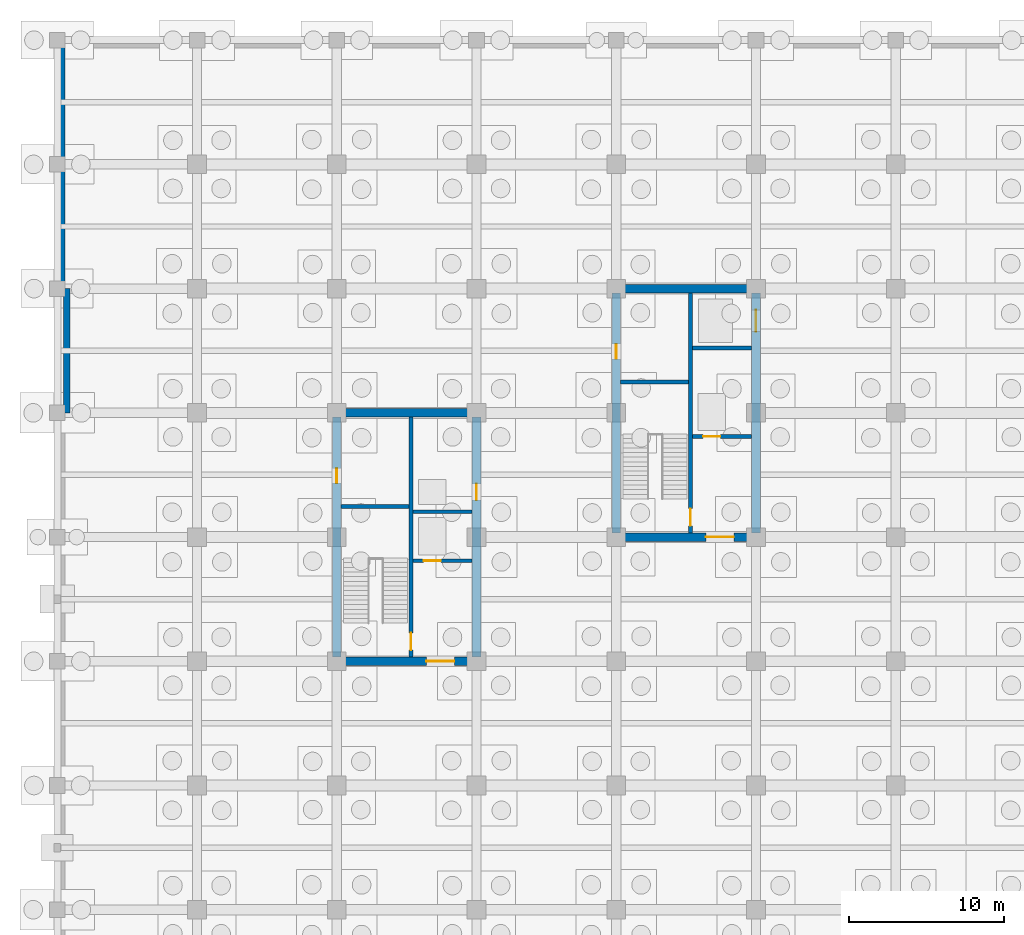
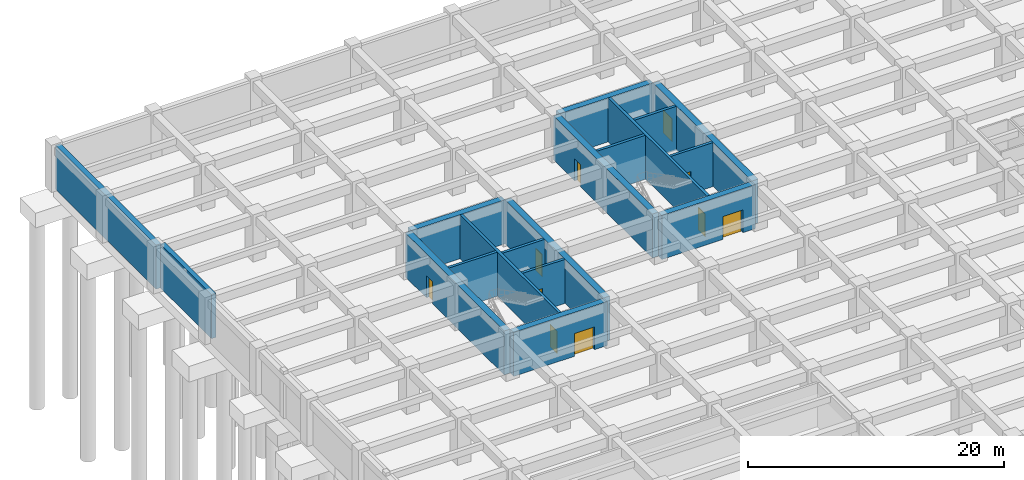
# One storey, part 21 of 31: 18 walls, 10 doors, 10 openings.
"""IFC4 building model written with IfcOpenShell, lengths in metres."""

from ifc_helpers import new_model, si_unit, direction, frame, frame_2d, origin, place, context, subcontext, project, spatial, rectangle, extrude, material, layer, layer_set, type_object, element, fill, save


model = new_model("IFC4")

# Units and contexts
model_context = context("Model", 3, precision=1e-05, world=origin(), true_north=direction((0.0, 1.0)))
body_context = subcontext(model_context, "Body", "Model", "MODEL_VIEW")
ifc_project = project(units=[si_unit("LENGTHUNIT", "METRE"), si_unit("AREAUNIT", "SQUARE_METRE"), si_unit("VOLUMEUNIT", "CUBIC_METRE"), si_unit("PLANEANGLEUNIT", "RADIAN"), si_unit("MASSUNIT", "GRAM", prefix="KILO")], contexts=[model_context])

# Site, building, storey
site_placement = place(None, origin())
site = spatial("IfcSite", under=ifc_project, at=site_placement, CompositionType="ELEMENT")
building_placement = place(site_placement, origin())
building = spatial("IfcBuilding", under=site, at=building_placement, Name="Zaverband Oceanarium and Marine Research Institute", CompositionType="ELEMENT")
storey_placement = place(building_placement, frame((0.0, 0.0, -9.0)))
storey = spatial("IfcBuildingStorey", under=building, at=storey_placement, Name="B2", CompositionType="ELEMENT", Elevation=-9.0)

# Wall, opening, door
ifc_material_1 = material(Name="Concrete C50/60", Category="concrete")
ifc_layer_1 = layer(ifc_material_1, 0.550048828125, Name="Concrete C50/60")
ifc_layer_set_1 = layer_set([ifc_layer_1], Name="Concrete C50/60")
wall_type_1 = type_object("IfcWallType", Name="CW-01", PredefinedType="SHEAR", material=ifc_layer_set_1)
wall_1_placement = place(storey_placement, frame((18.27490234375, 80.0, 0.0), z_axis=(0.0, 0.0, 1.0), x_axis=(1.0, 0.0, 0.0)))
wall_1 = element("IfcWall", 1, at=wall_1_placement, inside=storey, type_object=wall_type_1, Name="Structural shear wall CW-01", PredefinedType="SHEAR", context=body_context, shape_type="SweptSolid", body=[
    extrude(rectangle(XDim=8.4501953125, YDim=0.550048828125, at=frame_2d((4.22509765625, 0.0))), origin(), (0.0, 0.0, 1.0), 4.199951171875),
])
opening_1_placement = place(wall_1_placement, frame((5.5, 0.0, 0.0)))
opening_1 = element("IfcOpeningElement", 2, at=opening_1_placement, cuts=wall_1, Name="Opening FD-02", PredefinedType="OPENING", context=body_context, shape_type="SweptSolid", body=[
    extrude(rectangle(XDim=1.800048828125, YDim=2.179931640625, at=frame_2d((0.89990234375, 1.08984375))), frame((0.0, 0.287109375, 0.0), z_axis=(0.0, -1.0, 0.0), x_axis=(1.0, 0.0, 0.0)), (0.0, 0.0, 1.0), 0.573974609375),
])
ifc_material_2 = material(Name="Steel S355", Category="steel")
door_type_1 = type_object("IfcDoorType", Name="FD-02", OperationType="DOUBLE_DOOR_SINGLE_SWING", PredefinedType="DOOR", material=ifc_material_2)
door_1_placement = place(opening_1_placement, origin())
door_1 = element("IfcDoor", 3, at=door_1_placement, inside=storey, type_object=door_type_1, Name="Protected lobby double fire door FD-02", OperationType="DOUBLE_DOOR_SINGLE_SWING", OverallHeight=2.179931640625, OverallWidth=1.800048828125, PredefinedType="DOOR", context=body_context, shape_type="SweptSolid", body=[
    extrude(rectangle(XDim=1.800048828125, YDim=2.179931640625, at=frame_2d((0.89990234375, 1.08984375))), frame((0.0, 0.02490234375, 0.0), z_axis=(0.0, -1.0, 0.0), x_axis=(1.0, 0.0, 0.0)), (0.0, 0.0, 1.0), 0.050048828125),
])
fill(opening_1, door_1)

# Wall
wall_2_placement = place(storey_placement, frame((18.27490234375, 96.0, 0.0), z_axis=(0.0, 0.0, 1.0), x_axis=(1.0, 0.0, 0.0)))
element("IfcWall", 4, at=wall_2_placement, inside=storey, type_object=wall_type_1, Name="Structural shear wall CW-01", PredefinedType="SHEAR", context=body_context, shape_type="SweptSolid", body=[
    extrude(rectangle(XDim=8.4501953125, YDim=0.550048828125, at=frame_2d((4.22509765625, 0.0))), origin(), (0.0, 0.0, 1.0), 4.199951171875),
])

# Wall, opening, door
wall_3_placement = place(storey_placement, frame((18.0, 80.27490234375, 0.0), z_axis=(0.0, 0.0, 1.0), x_axis=(0.0, 1.0, 0.0)))
wall_3 = element("IfcWall", 5, at=wall_3_placement, inside=storey, type_object=wall_type_1, Name="Structural shear wall CW-01", PredefinedType="SHEAR", context=body_context, shape_type="SweptSolid", body=[
    extrude(rectangle(XDim=15.4501953125, YDim=0.550048828125, at=frame_2d((7.72509765625, 0.0))), origin(), (0.0, 0.0, 1.0), 4.199951171875),
])
opening_2_placement = place(wall_3_placement, frame((11.199951171875, 0.0, 0.0)))
opening_2 = element("IfcOpeningElement", 6, at=opening_2_placement, cuts=wall_3, Name="Opening FD-03", PredefinedType="OPENING", context=body_context, shape_type="SweptSolid", body=[
    extrude(rectangle(XDim=0.949951171875, YDim=2.10009765625, at=frame_2d((0.47509765625, 1.050048828125))), frame((0.0, 0.287109375, 0.0), z_axis=(0.0, -1.0, 0.0), x_axis=(1.0, 0.0, 0.0)), (0.0, 0.0, 1.0), 0.573974609375),
])
door_type_2 = type_object("IfcDoorType", Name="FD-03", OperationType="NOTDEFINED", PredefinedType="DOOR", material=ifc_material_2)
door_2_placement = place(opening_2_placement, origin())
door_2 = element("IfcDoor", 7, at=door_2_placement, inside=storey, type_object=door_type_2, Name="Service riser access fire door FD-03", OperationType="SINGLE_SWING_RIGHT", OverallHeight=2.10009765625, OverallWidth=0.949951171875, PredefinedType="DOOR", context=body_context, shape_type="SweptSolid", body=[
    extrude(rectangle(XDim=0.949951171875, YDim=2.10009765625, at=frame_2d((0.47509765625, 1.050048828125))), frame((0.0, 0.02490234375, 0.0), z_axis=(0.0, -1.0, 0.0), x_axis=(1.0, 0.0, 0.0)), (0.0, 0.0, 1.0), 0.050048828125),
])
fill(opening_2, door_2)

wall_4_placement = place(storey_placement, frame((27.0, 80.27490234375, 0.0), z_axis=(0.0, 0.0, 1.0), x_axis=(0.0, 1.0, 0.0)))
wall_4 = element("IfcWall", 8, at=wall_4_placement, inside=storey, type_object=wall_type_1, Name="Structural shear wall CW-01", PredefinedType="SHEAR", context=body_context, shape_type="SweptSolid", body=[
    extrude(rectangle(XDim=15.4501953125, YDim=0.550048828125, at=frame_2d((7.72509765625, 0.0))), origin(), (0.0, 0.0, 1.0), 4.199951171875),
])
opening_3_placement = place(wall_4_placement, frame((10.10009765625, 0.0, 0.0)))
opening_3 = element("IfcOpeningElement", 9, at=opening_3_placement, cuts=wall_4, Name="Opening LD-02", PredefinedType="OPENING", context=body_context, shape_type="SweptSolid", body=[
    extrude(rectangle(XDim=1.050048828125, YDim=2.1201171875, at=frame_2d((0.52490234375, 1.06005859375))), frame((0.0, 0.287109375, 0.0), z_axis=(0.0, -1.0, 0.0), x_axis=(1.0, 0.0, 0.0)), (0.0, 0.0, 1.0), 0.573974609375),
])
door_type_3 = type_object("IfcDoorType", Name="LD-02", OperationType="DOUBLE_DOOR_SLIDING", PredefinedType="DOOR", material=ifc_material_2)
door_3_placement = place(opening_3_placement, origin())
door_3 = element("IfcDoor", 10, at=door_3_placement, inside=storey, type_object=door_type_3, Name="Passenger lift sliding landing door LD-02", OperationType="DOUBLE_DOOR_SLIDING", OverallHeight=2.1201171875, OverallWidth=1.050048828125, PredefinedType="DOOR", context=body_context, shape_type="SweptSolid", body=[
    extrude(rectangle(XDim=1.050048828125, YDim=2.1201171875, at=frame_2d((0.52490234375, 1.06005859375))), frame((0.0, 0.02490234375, 0.0), z_axis=(0.0, -1.0, 0.0), x_axis=(1.0, 0.0, 0.0)), (0.0, 0.0, 1.0), 0.050048828125),
])
fill(opening_3, door_3)

wall_5_placement = place(storey_placement, frame((36.27490234375, 88.0, 0.0), z_axis=(0.0, 0.0, 1.0), x_axis=(1.0, 0.0, 0.0)))
wall_5 = element("IfcWall", 11, at=wall_5_placement, inside=storey, type_object=wall_type_1, Name="Structural shear wall CW-01", PredefinedType="SHEAR", context=body_context, shape_type="SweptSolid", body=[
    extrude(rectangle(XDim=8.4501953125, YDim=0.550048828125, at=frame_2d((4.22509765625, 0.0))), origin(), (0.0, 0.0, 1.0), 4.199951171875),
])
opening_4_placement = place(wall_5_placement, frame((5.5, 0.0, 0.0)))
opening_4 = element("IfcOpeningElement", 12, at=opening_4_placement, cuts=wall_5, Name="Opening FD-02", PredefinedType="OPENING", context=body_context, shape_type="SweptSolid", body=[
    extrude(rectangle(XDim=1.800048828125, YDim=2.179931640625, at=frame_2d((0.89990234375, 1.08984375))), frame((0.0, 0.287109375, 0.0), z_axis=(0.0, -1.0, 0.0), x_axis=(1.0, 0.0, 0.0)), (0.0, 0.0, 1.0), 0.573974609375),
])
door_4_placement = place(opening_4_placement, origin())
door_4 = element("IfcDoor", 13, at=door_4_placement, inside=storey, type_object=door_type_1, Name="Protected lobby double fire door FD-02", OperationType="DOUBLE_DOOR_SINGLE_SWING", OverallHeight=2.179931640625, OverallWidth=1.800048828125, PredefinedType="DOOR", context=body_context, shape_type="SweptSolid", body=[
    extrude(rectangle(XDim=1.800048828125, YDim=2.179931640625, at=frame_2d((0.89990234375, 1.08984375))), frame((0.0, 0.02490234375, 0.0), z_axis=(0.0, -1.0, 0.0), x_axis=(1.0, 0.0, 0.0)), (0.0, 0.0, 1.0), 0.050048828125),
])
fill(opening_4, door_4)

# Wall
wall_6_placement = place(storey_placement, frame((36.27490234375, 104.0, 0.0), z_axis=(0.0, 0.0, 1.0), x_axis=(1.0, 0.0, 0.0)))
element("IfcWall", 14, at=wall_6_placement, inside=storey, type_object=wall_type_1, Name="Structural shear wall CW-01", PredefinedType="SHEAR", context=body_context, shape_type="SweptSolid", body=[
    extrude(rectangle(XDim=8.4501953125, YDim=0.550048828125, at=frame_2d((4.22509765625, 0.0))), origin(), (0.0, 0.0, 1.0), 4.199951171875),
])

# Wall, opening, door
wall_7_placement = place(storey_placement, frame((36.0, 88.27490234375, 0.0), z_axis=(0.0, 0.0, 1.0), x_axis=(0.0, 1.0, 0.0)))
wall_7 = element("IfcWall", 15, at=wall_7_placement, inside=storey, type_object=wall_type_1, Name="Structural shear wall CW-01", PredefinedType="SHEAR", context=body_context, shape_type="SweptSolid", body=[
    extrude(rectangle(XDim=15.4501953125, YDim=0.550048828125, at=frame_2d((7.72509765625, 0.0))), origin(), (0.0, 0.0, 1.0), 4.199951171875),
])
opening_5_placement = place(wall_7_placement, frame((11.199951171875, 0.0, 0.0)))
opening_5 = element("IfcOpeningElement", 16, at=opening_5_placement, cuts=wall_7, Name="Opening FD-03", PredefinedType="OPENING", context=body_context, shape_type="SweptSolid", body=[
    extrude(rectangle(XDim=0.949951171875, YDim=2.10009765625, at=frame_2d((0.47509765625, 1.050048828125))), frame((0.0, 0.287109375, 0.0), z_axis=(0.0, -1.0, 0.0), x_axis=(1.0, 0.0, 0.0)), (0.0, 0.0, 1.0), 0.573974609375),
])
door_5_placement = place(opening_5_placement, origin())
door_5 = element("IfcDoor", 17, at=door_5_placement, inside=storey, type_object=door_type_2, Name="Service riser access fire door FD-03", OperationType="SINGLE_SWING_RIGHT", OverallHeight=2.10009765625, OverallWidth=0.949951171875, PredefinedType="DOOR", context=body_context, shape_type="SweptSolid", body=[
    extrude(rectangle(XDim=0.949951171875, YDim=2.10009765625, at=frame_2d((0.47509765625, 1.050048828125))), frame((0.0, 0.02490234375, 0.0), z_axis=(0.0, -1.0, 0.0), x_axis=(1.0, 0.0, 0.0)), (0.0, 0.0, 1.0), 0.050048828125),
])
fill(opening_5, door_5)

wall_8_placement = place(storey_placement, frame((45.0, 88.27490234375, 0.0), z_axis=(0.0, 0.0, 1.0), x_axis=(0.0, 1.0, 0.0)))
wall_8 = element("IfcWall", 18, at=wall_8_placement, inside=storey, type_object=wall_type_1, Name="Structural shear wall CW-01", PredefinedType="SHEAR", context=body_context, shape_type="SweptSolid", body=[
    extrude(rectangle(XDim=15.4501953125, YDim=0.550048828125, at=frame_2d((7.72509765625, 0.0))), origin(), (0.0, 0.0, 1.0), 4.199951171875),
])
opening_6_placement = place(wall_8_placement, frame((12.949951171875, 0.0, 0.0)))
opening_6 = element("IfcOpeningElement", 19, at=opening_6_placement, cuts=wall_8, Name="Opening LD-03", PredefinedType="OPENING", context=body_context, shape_type="SweptSolid", body=[
    extrude(rectangle(XDim=1.39990234375, YDim=2.199951171875, at=frame_2d((0.699951171875, 1.10009765625))), frame((0.0, 0.287109375, 0.0), z_axis=(0.0, -1.0, 0.0), x_axis=(1.0, 0.0, 0.0)), (0.0, 0.0, 1.0), 0.573974609375),
])
door_type_4 = type_object("IfcDoorType", Name="LD-03", OperationType="DOUBLE_DOOR_SLIDING", PredefinedType="DOOR", material=ifc_material_2)
door_6_placement = place(opening_6_placement, origin())
door_6 = element("IfcDoor", 20, at=door_6_placement, inside=storey, type_object=door_type_4, Name="Specimen goods lift sliding landing door LD-03", OperationType="DOUBLE_DOOR_SLIDING", OverallHeight=2.199951171875, OverallWidth=1.39990234375, PredefinedType="DOOR", context=body_context, shape_type="SweptSolid", body=[
    extrude(rectangle(XDim=1.39990234375, YDim=2.199951171875, at=frame_2d((0.699951171875, 1.10009765625))), frame((0.0, 0.02490234375, 0.0), z_axis=(0.0, -1.0, 0.0), x_axis=(1.0, 0.0, 0.0)), (0.0, 0.0, 1.0), 0.050048828125),
])
fill(opening_6, door_6)

ifc_layer_2 = layer(ifc_material_1, 0.25, Name="Concrete C50/60")
ifc_layer_set_2 = layer_set([ifc_layer_2], Name="Concrete C50/60")
wall_type_2 = type_object("IfcWallType", Name="PW-CORE-250", PredefinedType="SOLIDWALL", material=ifc_layer_set_2)
wall_9_placement = place(storey_placement, frame((22.77490234375, 80.27490234375, 0.0), z_axis=(0.0, 0.0, 1.0), x_axis=(0.0, 1.0, 0.0)))
wall_9 = element("IfcWall", 21, at=wall_9_placement, inside=storey, type_object=wall_type_2, Name="Structural concrete wall PW-CORE-250", PredefinedType="SOLIDWALL", context=body_context, shape_type="SweptSolid", body=[
    extrude(rectangle(XDim=15.4501953125, YDim=0.25, at=frame_2d((7.72509765625, 0.0))), origin(), (0.0, 0.0, 1.0), 4.199951171875),
])
opening_7_placement = place(wall_9_placement, frame((0.449951171875, 0.0, 0.0)))
opening_7 = element("IfcOpeningElement", 22, at=opening_7_placement, cuts=wall_9, Name="Opening FD-01", PredefinedType="OPENING", context=body_context, shape_type="SweptSolid", body=[
    extrude(rectangle(XDim=1.10009765625, YDim=2.14990234375, at=frame_2d((0.550048828125, 1.074951171875))), frame((0.0, 0.136962890625, 0.0), z_axis=(0.0, -1.0, 0.0), x_axis=(1.0, 0.0, 0.0)), (0.0, 0.0, 1.0), 0.27392578125),
])
door_type_5 = type_object("IfcDoorType", Name="FD-01", OperationType="NOTDEFINED", PredefinedType="DOOR", material=ifc_material_2)
door_7_placement = place(opening_7_placement, origin())
door_7 = element("IfcDoor", 23, at=door_7_placement, inside=storey, type_object=door_type_5, Name="Core stair / lobby fire door FD-01", OperationType="SINGLE_SWING_LEFT", OverallHeight=2.14990234375, OverallWidth=1.10009765625, PredefinedType="DOOR", context=body_context, shape_type="SweptSolid", body=[
    extrude(rectangle(XDim=1.10009765625, YDim=2.14990234375, at=frame_2d((0.550048828125, 1.074951171875))), frame((0.0, 0.02490234375, 0.0), z_axis=(0.0, -1.0, 0.0), x_axis=(1.0, 0.0, 0.0)), (0.0, 0.0, 1.0), 0.050048828125),
])
fill(opening_7, door_7)

# Wall
wall_10_placement = place(storey_placement, frame((18.27490234375, 89.97509765625, 0.0), z_axis=(0.0, 0.0, 1.0), x_axis=(1.0, 0.0, 0.0)))
element("IfcWall", 24, at=wall_10_placement, inside=storey, type_object=wall_type_2, Name="Structural concrete wall PW-CORE-250", PredefinedType="SOLIDWALL", context=body_context, shape_type="SweptSolid", body=[
    extrude(rectangle(XDim=4.3701171875, YDim=0.25, at=frame_2d((2.18505859375, 0.0))), origin(), (0.0, 0.0, 1.0), 4.199951171875),
])

# Wall, opening, door
wall_11_placement = place(storey_placement, frame((22.905029296875, 86.47509765625, 0.0), z_axis=(0.0, 0.0, 1.0), x_axis=(1.0, 0.0, 0.0)))
wall_11 = element("IfcWall", 25, at=wall_11_placement, inside=storey, type_object=wall_type_2, Name="Structural concrete wall PW-CORE-250", PredefinedType="SOLIDWALL", context=body_context, shape_type="SweptSolid", body=[
    extrude(rectangle(XDim=3.820068359375, YDim=0.25, at=frame_2d((1.91015625, 0.0))), origin(), (0.0, 0.0, 1.0), 4.199951171875),
])
opening_8_placement = place(wall_11_placement, frame((0.695068359375, 0.0, 0.0)))
opening_8 = element("IfcOpeningElement", 26, at=opening_8_placement, cuts=wall_11, Name="Opening LD-01", PredefinedType="OPENING", context=body_context, shape_type="SweptSolid", body=[
    extrude(rectangle(XDim=1.10009765625, YDim=2.1201171875, at=frame_2d((0.550048828125, 1.06005859375))), frame((0.0, 0.136962890625, 0.0), z_axis=(0.0, -1.0, 0.0), x_axis=(1.0, 0.0, 0.0)), (0.0, 0.0, 1.0), 0.27392578125),
])
door_type_6 = type_object("IfcDoorType", Name="LD-01", OperationType="DOUBLE_DOOR_SLIDING", PredefinedType="DOOR", material=ifc_material_2)
door_8_placement = place(opening_8_placement, origin())
door_8 = element("IfcDoor", 27, at=door_8_placement, inside=storey, type_object=door_type_6, Name="Firefighting lift sliding landing door LD-01", OperationType="DOUBLE_DOOR_SLIDING", OverallHeight=2.1201171875, OverallWidth=1.10009765625, PredefinedType="DOOR", context=body_context, shape_type="SweptSolid", body=[
    extrude(rectangle(XDim=1.10009765625, YDim=2.1201171875, at=frame_2d((0.550048828125, 1.06005859375))), frame((0.0, 0.02490234375, 0.0), z_axis=(0.0, -1.0, 0.0), x_axis=(1.0, 0.0, 0.0)), (0.0, 0.0, 1.0), 0.050048828125),
])
fill(opening_8, door_8)

# Wall
wall_12_placement = place(storey_placement, frame((22.905029296875, 89.6298828125, 0.0), z_axis=(0.0, 0.0, 1.0), x_axis=(1.0, 0.0, 0.0)))
element("IfcWall", 28, at=wall_12_placement, inside=storey, type_object=wall_type_2, Name="Structural concrete wall PW-CORE-250", PredefinedType="SOLIDWALL", context=body_context, shape_type="SweptSolid", body=[
    extrude(rectangle(XDim=3.820068359375, YDim=0.25, at=frame_2d((1.91015625, 0.0))), origin(), (0.0, 0.0, 1.0), 4.199951171875),
])

# Wall, opening, door
wall_13_placement = place(storey_placement, frame((40.77490234375, 88.27490234375, 0.0), z_axis=(0.0, 0.0, 1.0), x_axis=(0.0, 1.0, 0.0)))
wall_13 = element("IfcWall", 29, at=wall_13_placement, inside=storey, type_object=wall_type_2, Name="Structural concrete wall PW-CORE-250", PredefinedType="SOLIDWALL", context=body_context, shape_type="SweptSolid", body=[
    extrude(rectangle(XDim=15.4501953125, YDim=0.25, at=frame_2d((7.72509765625, 0.0))), origin(), (0.0, 0.0, 1.0), 4.199951171875),
])
opening_9_placement = place(wall_13_placement, frame((0.449951171875, 0.0, 0.0)))
opening_9 = element("IfcOpeningElement", 30, at=opening_9_placement, cuts=wall_13, Name="Opening FD-01", PredefinedType="OPENING", context=body_context, shape_type="SweptSolid", body=[
    extrude(rectangle(XDim=1.10009765625, YDim=2.14990234375, at=frame_2d((0.550048828125, 1.074951171875))), frame((0.0, 0.136962890625, 0.0), z_axis=(0.0, -1.0, 0.0), x_axis=(1.0, 0.0, 0.0)), (0.0, 0.0, 1.0), 0.27392578125),
])
door_9_placement = place(opening_9_placement, origin())
door_9 = element("IfcDoor", 31, at=door_9_placement, inside=storey, type_object=door_type_5, Name="Core stair / lobby fire door FD-01", OperationType="SINGLE_SWING_LEFT", OverallHeight=2.14990234375, OverallWidth=1.10009765625, PredefinedType="DOOR", context=body_context, shape_type="SweptSolid", body=[
    extrude(rectangle(XDim=1.10009765625, YDim=2.14990234375, at=frame_2d((0.550048828125, 1.074951171875))), frame((0.0, 0.02490234375, 0.0), z_axis=(0.0, -1.0, 0.0), x_axis=(1.0, 0.0, 0.0)), (0.0, 0.0, 1.0), 0.050048828125),
])
fill(opening_9, door_9)

# Wall
wall_14_placement = place(storey_placement, frame((36.27490234375, 97.97509765625, 0.0), z_axis=(0.0, 0.0, 1.0), x_axis=(1.0, 0.0, 0.0)))
element("IfcWall", 32, at=wall_14_placement, inside=storey, type_object=wall_type_2, Name="Structural concrete wall PW-CORE-250", PredefinedType="SOLIDWALL", context=body_context, shape_type="SweptSolid", body=[
    extrude(rectangle(XDim=4.3701171875, YDim=0.25, at=frame_2d((2.18505859375, 0.0))), origin(), (0.0, 0.0, 1.0), 4.199951171875),
])

# Wall, opening, door
wall_15_placement = place(storey_placement, frame((40.905029296875, 94.47509765625, 0.0), z_axis=(0.0, 0.0, 1.0), x_axis=(1.0, 0.0, 0.0)))
wall_15 = element("IfcWall", 33, at=wall_15_placement, inside=storey, type_object=wall_type_2, Name="Structural concrete wall PW-CORE-250", PredefinedType="SOLIDWALL", context=body_context, shape_type="SweptSolid", body=[
    extrude(rectangle(XDim=3.820068359375, YDim=0.25, at=frame_2d((1.91015625, 0.0))), origin(), (0.0, 0.0, 1.0), 4.199951171875),
])
opening_10_placement = place(wall_15_placement, frame((0.695068359375, 0.0, 0.0)))
opening_10 = element("IfcOpeningElement", 34, at=opening_10_placement, cuts=wall_15, Name="Opening LD-01", PredefinedType="OPENING", context=body_context, shape_type="SweptSolid", body=[
    extrude(rectangle(XDim=1.10009765625, YDim=2.1201171875, at=frame_2d((0.550048828125, 1.06005859375))), frame((0.0, 0.136962890625, 0.0), z_axis=(0.0, -1.0, 0.0), x_axis=(1.0, 0.0, 0.0)), (0.0, 0.0, 1.0), 0.27392578125),
])
door_10_placement = place(opening_10_placement, origin())
door_10 = element("IfcDoor", 35, at=door_10_placement, inside=storey, type_object=door_type_6, Name="Firefighting lift sliding landing door LD-01", OperationType="DOUBLE_DOOR_SLIDING", OverallHeight=2.1201171875, OverallWidth=1.10009765625, PredefinedType="DOOR", context=body_context, shape_type="SweptSolid", body=[
    extrude(rectangle(XDim=1.10009765625, YDim=2.1201171875, at=frame_2d((0.550048828125, 1.06005859375))), frame((0.0, 0.02490234375, 0.0), z_axis=(0.0, -1.0, 0.0), x_axis=(1.0, 0.0, 0.0)), (0.0, 0.0, 1.0), 0.050048828125),
])
fill(opening_10, door_10)

# Walls
wall_16_placement = place(storey_placement, frame((40.905029296875, 100.179931640625, 0.0), z_axis=(0.0, 0.0, 1.0), x_axis=(1.0, 0.0, 0.0)))
element("IfcWall", 36, at=wall_16_placement, inside=storey, type_object=wall_type_2, Name="Structural concrete wall PW-CORE-250", PredefinedType="SOLIDWALL", context=body_context, shape_type="SweptSolid", body=[
    extrude(rectangle(XDim=3.820068359375, YDim=0.25, at=frame_2d((1.91015625, 0.0))), origin(), (0.0, 0.0, 1.0), 4.199951171875),
])
ifc_material_3 = material(Name="Concrete C45/55", Category="concrete")
ifc_layer_3 = layer(ifc_material_3, 0.47998046875, Name="Concrete C45/55")
ifc_layer_set_3 = layer_set([ifc_layer_3], Name="Concrete C45/55")
wall_type_3 = type_object("IfcWallType", Name="RW-01", PredefinedType="SHEAR", material=ifc_layer_set_3)
wall_17_placement = place(storey_placement, frame((0.25, 119.75, 0.0), z_axis=(0.0, 0.0, 1.0), x_axis=(0.0, -1.0, 0.0)))
element("IfcWall", 37, at=wall_17_placement, inside=storey, type_object=wall_type_3, Name="Basement retaining wall RW-01", PredefinedType="SHEAR", context=body_context, shape_type="SweptSolid", body=[
    extrude(rectangle(XDim=15.75, YDim=0.47998046875, at=frame_2d((7.875, 0.0))), origin(), (0.0, 0.0, 1.0), 4.199951171875),
])
ifc_layer_4 = layer(ifc_material_1, 0.419921875, Name="Concrete C50/60")
ifc_layer_set_4 = layer_set([ifc_layer_4], Name="Concrete C50/60")
wall_type_4 = type_object("IfcWallType", Name="SW-01", PredefinedType="SHEAR", material=ifc_layer_set_4)
wall_18_placement = place(storey_placement, frame((0.60009765625, 96.0, 0.0), z_axis=(0.0, 0.0, 1.0), x_axis=(0.0, 1.0, 0.0)))
element("IfcWall", 38, at=wall_18_placement, inside=storey, type_object=wall_type_4, Name="Structural shear wall SW-01", PredefinedType="SHEAR", context=body_context, shape_type="SweptSolid", body=[
    extrude(rectangle(XDim=8.0, YDim=0.419921875, at=frame_2d((4.0, 0.0))), origin(), (0.0, 0.0, 1.0), 4.199951171875),
])

save(model, "model.ifc")
